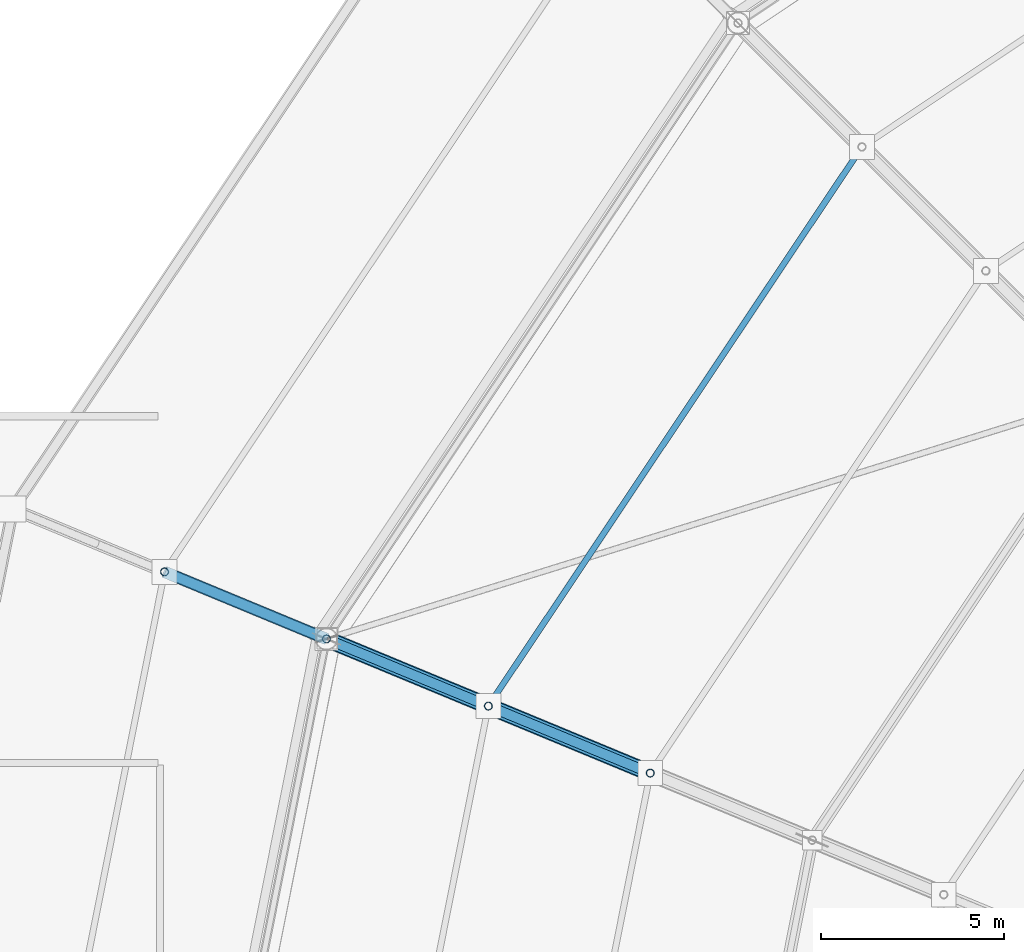
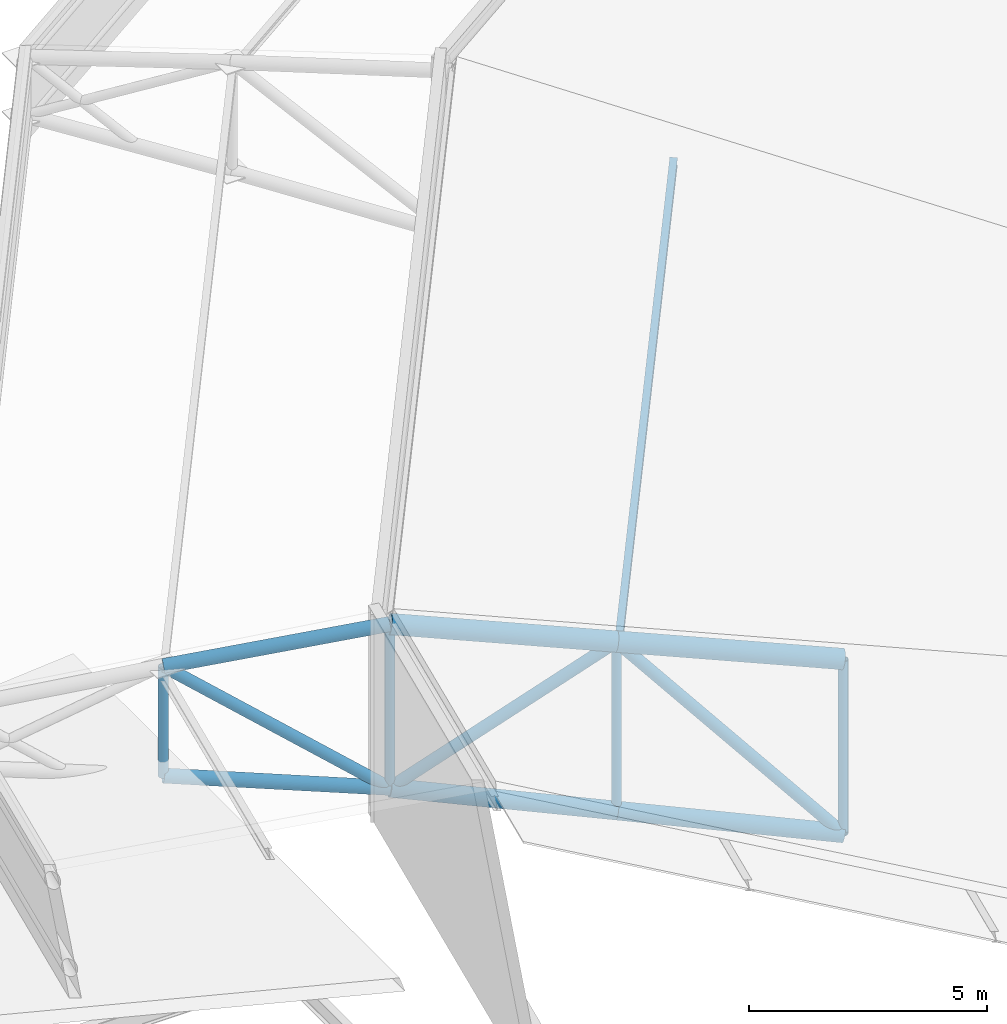
# One storey, part 44 of 146: 14 members.
"""IFC4 building model written with IfcOpenShell, lengths in metres."""

from ifc_helpers import new_model, si_unit, direction, frame, origin, origin_2d, place, context, subcontext, project, spatial, hollow_circle, i_section, extrude, material, material_profile, profile_set, type_object, element, save


model = new_model("IFC4")

# Units and contexts
model_context = context("Model", 3, precision=1e-05, world=origin(), true_north=direction((0.0, 1.0)))
body_context = subcontext(model_context, "Body", "Model", "MODEL_VIEW")
ifc_project = project(units=[si_unit("LENGTHUNIT", "METRE"), si_unit("AREAUNIT", "SQUARE_METRE"), si_unit("VOLUMEUNIT", "CUBIC_METRE"), si_unit("PLANEANGLEUNIT", "RADIAN"), si_unit("MASSUNIT", "GRAM", prefix="KILO")], contexts=[model_context])

# Site, building, storey
site_placement = place(None, origin())
site = spatial("IfcSite", under=ifc_project, at=site_placement, CompositionType="ELEMENT")
building_placement = place(site_placement, origin())
building = spatial("IfcBuilding", under=site, at=building_placement, Name="Candeia Ridge Stadium", CompositionType="ELEMENT")
storey_placement = place(building_placement, frame((0.0, 0.0, 31.800048828125)))
storey = spatial("IfcBuildingStorey", under=building, at=storey_placement, Name="RF", CompositionType="ELEMENT", Elevation=31.800048828125)

# Members
ifc_material = material(Name="Steel ASTM A572 Grade 50", Category="steel")
ifc_material_profile_1 = material_profile(ifc_material, i_section(OverallWidth=0.1650390625, OverallDepth=0.200927734375, WebThickness=0.006103515625, FlangeThickness=0.01025390625, FilletRadius=0.010009765625, at=origin_2d()), Name="W200x35.9", Category="steel")
ifc_profile_set_1 = profile_set([ifc_material_profile_1], Name="Steel ASTM A572 Grade 50")
member_type_1 = type_object("IfcMemberType", Name="Roof Purlin W200x35.9", PredefinedType="PURLIN", material=ifc_profile_set_1)
member_1_placement = place(storey_placement, frame((37.5966796875, 128.333984375, 3.19189453125), z_axis=(-0.555564228489, -0.83147362437, 0.0), x_axis=(0.83147362437, -0.555564228489, 0.0)))
element("IfcMember", 1, at=member_1_placement, inside=storey, type_object=member_type_1, Name="Saddle roof steel purlin bay 10-4", PredefinedType="PURLIN", context=body_context, shape_type="SweptSolid", body=[
    extrude(i_section(OverallWidth=0.1650390625, OverallDepth=0.200927734375, WebThickness=0.006103515625, FlangeThickness=0.01025390625, FilletRadius=0.010009765625, at=origin_2d()), origin(), (0.0, 0.0, 1.0), 18.316650390625),
])
ifc_material_profile_2 = material_profile(ifc_material, hollow_circle(Radius=0.161865234375, WallThickness=0.012451171875, at=origin_2d()), Name="CHS323x12", Category="steel")
ifc_profile_set_2 = profile_set([ifc_material_profile_2], Name="Steel ASTM A572 Grade 50")
member_type_2 = type_object("IfcMemberType", Name="Roof Truss Eaves Chord CHS323x12", PredefinedType="CHORD", material=ifc_profile_set_2)
member_2_placement = place(storey_placement, frame((22.958251953125, 114.899658203125, 4.599853515625), z_axis=(-0.915748479885, 0.379276360613, -0.132492127568), x_axis=(-0.382649779007, -0.923893471471, 0.0)))
element("IfcMember", 2, at=member_2_placement, inside=storey, type_object=member_type_2, Name="Roof cantilever truss RT-11 top chord 7", PredefinedType="CHORD", context=body_context, shape_type="SweptSolid", body=[
    extrude(hollow_circle(Radius=0.161865234375, WallThickness=0.012451171875, at=origin_2d()), origin(), (0.0, 0.0, 1.0), 4.842529296875),
])
member_3_placement = place(storey_placement, frame((22.958251953125, 114.899658203125, 0.39990234375), z_axis=(-0.91276056344, 0.378038852607, 0.154773317298), x_axis=(-0.382649779007, -0.923893471471, 0.0)))
element("IfcMember", 3, at=member_3_placement, inside=storey, type_object=member_type_2, Name="Roof cantilever truss RT-11 bottom chord 7", PredefinedType="CHORD", context=body_context, shape_type="SweptSolid", body=[
    extrude(hollow_circle(Radius=0.161865234375, WallThickness=0.012451171875, at=origin_2d()), origin(), (0.0, 0.0, 1.0), 4.8583984375),
])
ifc_material_profile_3 = material_profile(ifc_material, hollow_circle(Radius=0.136474609375, WallThickness=0.010009765625, at=origin_2d()), Name="CHS273x10", Category="steel")
ifc_profile_set_3 = profile_set([ifc_material_profile_3], Name="Steel ASTM A572 Grade 50")
member_type_3 = type_object("IfcMemberType", Name="Roof Truss Heavy Web Brace CHS273x10", PredefinedType="BRACE", material=ifc_profile_set_3)
member_4_placement = place(storey_placement, frame((31.827392578125, 111.225830078125, -1.642822265625), z_axis=(-0.616669163197, 0.255440364672, 0.744626996058), x_axis=(-0.382693194178, -0.923875488976, 0.0)))
element("IfcMember", 4, at=member_4_placement, inside=storey, type_object=member_type_3, Name="Roof cantilever truss RT-11 diagonal web 5", PredefinedType="BRACE", context=body_context, shape_type="SweptSolid", body=[
    extrude(hollow_circle(Radius=0.136474609375, WallThickness=0.010009765625, at=origin_2d()), origin(), (0.0, 0.0, 1.0), 7.191162109375),
])
member_5_placement = place(storey_placement, frame((27.392822265625, 113.062744140625, 3.7119140625), z_axis=(-0.760420904644, 0.314986065103, -0.567929420414), x_axis=(-0.382693194178, -0.923875488976, 0.0)))
element("IfcMember", 5, at=member_5_placement, inside=storey, type_object=member_type_3, Name="Roof cantilever truss RT-11 diagonal web 6", PredefinedType="BRACE", context=body_context, shape_type="SweptSolid", body=[
    extrude(hollow_circle(Radius=0.136474609375, WallThickness=0.010009765625, at=origin_2d()), origin(), (0.0, 0.0, 1.0), 5.831787109375),
])
member_6_placement = place(storey_placement, frame((22.958251953125, 114.899658203125, 0.39990234375), z_axis=(-0.742187529095, 0.307392467594, 0.595539706923), x_axis=(-0.382649779007, -0.923893471471, 0.0)))
element("IfcMember", 6, at=member_6_placement, inside=storey, type_object=member_type_3, Name="Roof cantilever truss RT-11 diagonal web 7", PredefinedType="BRACE", context=body_context, shape_type="SweptSolid", body=[
    extrude(hollow_circle(Radius=0.136474609375, WallThickness=0.010009765625, at=origin_2d()), origin(), (0.0, 0.0, 1.0), 5.97509765625),
])
ifc_material_profile_4 = material_profile(ifc_material, hollow_circle(Radius=0.109619140625, WallThickness=0.010009765625, at=origin_2d()), Name="CHS219x10", Category="steel")
ifc_profile_set_4 = profile_set([ifc_material_profile_4], Name="Steel ASTM A572 Grade 50")
member_type_4 = type_object("IfcMemberType", Name="Roof Truss Inner Web Brace CHS219x10", PredefinedType="BRACE", material=ifc_profile_set_4)
member_7_placement = place(storey_placement, frame((31.827392578125, 111.225830078125, -1.642822265625), z_axis=(0.0, 0.0, 1.0), x_axis=(1.0, 0.0, 0.0)))
element("IfcMember", 7, at=member_7_placement, inside=storey, type_object=member_type_4, Name="Roof cantilever truss RT-11 vertical post 4", PredefinedType="BRACE", context=body_context, shape_type="SweptSolid", body=[
    extrude(hollow_circle(Radius=0.109619140625, WallThickness=0.010009765625, at=origin_2d()), origin(), (0.0, 0.0, 1.0), 4.466796875),
])
member_8_placement = place(storey_placement, frame((27.392822265625, 113.062744140625, -0.621337890625), z_axis=(0.0, 0.0, 1.0), x_axis=(1.0, 0.0, 0.0)))
element("IfcMember", 8, at=member_8_placement, inside=storey, type_object=member_type_4, Name="Roof cantilever truss RT-11 vertical post 5", PredefinedType="BRACE", context=body_context, shape_type="SweptSolid", body=[
    extrude(hollow_circle(Radius=0.109619140625, WallThickness=0.010009765625, at=origin_2d()), origin(), (0.0, 0.0, 1.0), 4.333251953125),
])
member_9_placement = place(storey_placement, frame((22.958251953125, 114.899658203125, 0.39990234375), z_axis=(0.0, 0.0, 1.0), x_axis=(1.0, 0.0, 0.0)))
element("IfcMember", 9, at=member_9_placement, inside=storey, type_object=member_type_4, Name="Roof cantilever truss RT-11 vertical post 6", PredefinedType="BRACE", context=body_context, shape_type="SweptSolid", body=[
    extrude(hollow_circle(Radius=0.109619140625, WallThickness=0.010009765625, at=origin_2d()), origin(), (0.0, 0.0, 1.0), 4.199951171875),
])
member_10_placement = place(storey_placement, frame((18.523681640625, 116.736328125, 1.15185546875), z_axis=(0.0, 0.0, 1.0), x_axis=(1.0, 0.0, 0.0)))
element("IfcMember", 10, at=member_10_placement, inside=storey, type_object=member_type_4, Name="Roof cantilever truss RT-11 vertical post 7", PredefinedType="BRACE", context=body_context, shape_type="SweptSolid", body=[
    extrude(hollow_circle(Radius=0.109619140625, WallThickness=0.010009765625, at=origin_2d()), origin(), (0.0, 0.0, 1.0), 2.806396484375),
])
ifc_material_profile_5 = material_profile(ifc_material, hollow_circle(Radius=0.228515625, WallThickness=0.02001953125, at=origin_2d()), Name="CHS457x20", Category="steel")
ifc_profile_set_5 = profile_set([ifc_material_profile_5], Name="Steel ASTM A572 Grade 50")
member_type_5 = type_object("IfcMemberType", Name="Roof Truss Main Chord CHS457x20", PredefinedType="CHORD", material=ifc_profile_set_5)
for number, where, z_axis, x_axis, name in (
    (11, (31.827392578125, 111.225830078125, 2.823974609375), (-0.908462082556, 0.376308561394, 0.181902477112), (-0.382693194178, -0.923875488976, 0.0), "Roof cantilever truss RT-11 top chord 5"),
    (12, (27.392822265625, 113.062744140625, 3.7119140625), (-0.908462082556, 0.376308561394, 0.181902477112), (-0.382693194178, -0.923875488976, 0.0), "Roof cantilever truss RT-11 top chord 6"),
):
    element("IfcMember", number, at=place(storey_placement, frame(where, z_axis=z_axis, x_axis=x_axis)), inside=storey, type_object=member_type_5, Name=name, PredefinedType="CHORD", context=body_context, shape_type="SweptSolid", body=[
        extrude(hollow_circle(Radius=0.228515625, WallThickness=0.02001953125, at=origin_2d()), origin(), (0.0, 0.0, 1.0), 4.88134765625),
    ])
ifc_material_profile_6 = material_profile(ifc_material, hollow_circle(Radius=0.202880859375, WallThickness=0.01611328125, at=origin_2d()), Name="CHS406x16", Category="steel")
ifc_profile_set_6 = profile_set([ifc_material_profile_6], Name="Steel ASTM A572 Grade 50")
member_type_6 = type_object("IfcMemberType", Name="Roof Truss Outer Chord CHS406x16", PredefinedType="CHORD", material=ifc_profile_set_6)
for number, where, z_axis, x_axis, name in (
    (13, (31.827392578125, 111.225830078125, -1.642822265625), (-0.903639847666, 0.374311066606, 0.208149588341), (-0.382693194178, -0.923875488976, 0.0), "Roof cantilever truss RT-11 bottom chord 5"),
    (14, (27.392822265625, 113.062744140625, -0.621337890625), (-0.903649204085, 0.374314942278, 0.208101994092), (-0.382693194178, -0.923875488976, 0.0), "Roof cantilever truss RT-11 bottom chord 6"),
):
    element("IfcMember", number, at=place(storey_placement, frame(where, z_axis=z_axis, x_axis=x_axis)), inside=storey, type_object=member_type_6, Name=name, PredefinedType="CHORD", context=body_context, shape_type="SweptSolid", body=[
        extrude(hollow_circle(Radius=0.202880859375, WallThickness=0.01611328125, at=origin_2d()), origin(), (0.0, 0.0, 1.0), 4.907470703125),
    ])

save(model, "model.ifc")
